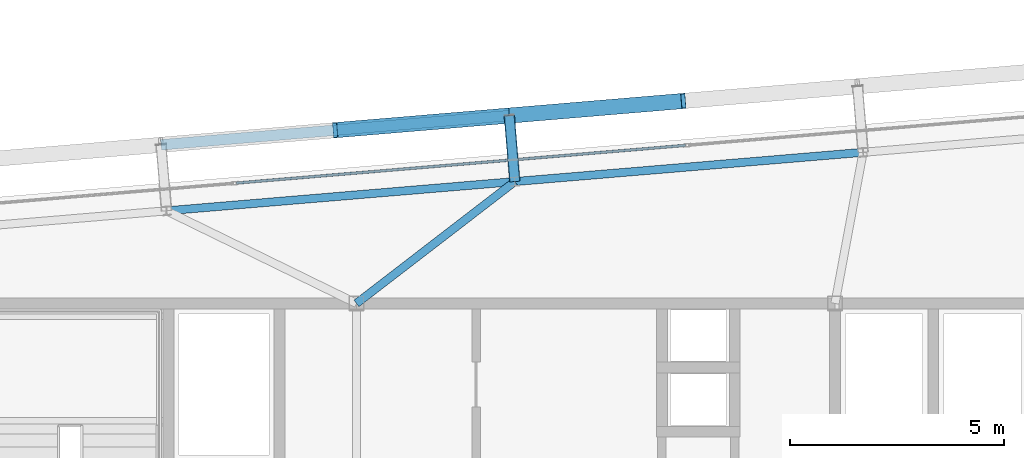
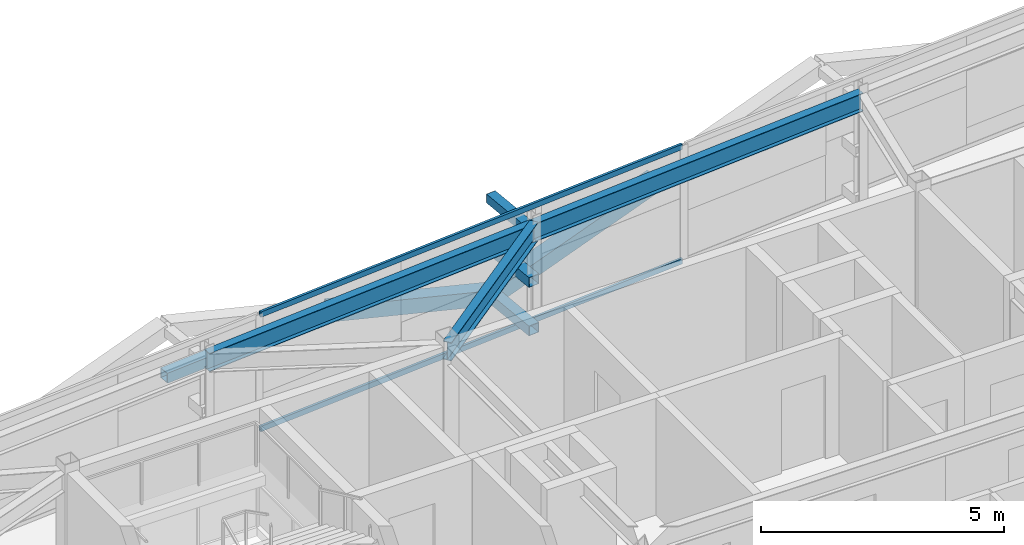
# One storey, part 22 of 39: 8 members, 3 beams, 1 element without a shape of its own.
"""IFC4 building model written with IfcOpenShell, lengths in metres."""

from ifc_helpers import new_model, si_unit, direction, frame, origin, origin_2d, place, context, subcontext, project, spatial, hollow_rectangle, i_section, extrude, source, transform, mapped, material, layer, layer_set, material_profile, profile_set, type_object, element, aggregate, save


model = new_model("IFC4")

# Units and contexts
model_context = context("Model", 3, precision=1e-05, world=origin(), true_north=direction((0.0, 1.0)))
body_context = subcontext(model_context, "Body", "Model", "MODEL_VIEW")
ifc_project = project(units=[si_unit("LENGTHUNIT", "METRE"), si_unit("AREAUNIT", "SQUARE_METRE"), si_unit("VOLUMEUNIT", "CUBIC_METRE"), si_unit("PLANEANGLEUNIT", "RADIAN"), si_unit("MASSUNIT", "GRAM", prefix="KILO")], contexts=[model_context])

# Site, building, storey
site_placement = place(None, origin())
site = spatial("IfcSite", under=ifc_project, at=site_placement, CompositionType="ELEMENT")
building_placement = place(site_placement, origin())
building = spatial("IfcBuilding", under=site, at=building_placement, Name="Taldren Reach Tower", CompositionType="ELEMENT")
storey_placement = place(building_placement, frame((0.0, 0.0, 197.75)))
storey = spatial("IfcBuildingStorey", under=building, at=storey_placement, Name="L60", CompositionType="ELEMENT", Elevation=197.75)

# Members
ifc_material_1 = material(Name="Steel Gr 350 (C350L0)", Category="steel")
ifc_material_profile_1 = material_profile(ifc_material_1, hollow_rectangle(XDim=0.25, YDim=0.25, WallThickness=0.010009765625, at=origin_2d()), Name="250x250x10.0SHS")
ifc_profile_set_1 = profile_set([ifc_material_profile_1], Name="Steel Gr 350 (C350L0)")
member_type_1 = type_object("IfcMemberType", Name="MB-POST250", PredefinedType="POST", material=ifc_profile_set_1)
shared_shape_1 = source(origin(), body_context, "Body", "SweptSolid", [
    extrude(hollow_rectangle(XDim=0.25, YDim=0.25, WallThickness=0.010009765625, at=origin_2d()), origin(), (0.0, 0.0, 1.0), 1.5498046875),
])
for number, where, z_axis, x_axis, name in (
    (1, (31.706298828125, 34.8525390625, 0.219970703125), (-0.083645141657, 0.996495604746, 0.0), (-0.996495604746, -0.083645141657, 0.0), "Exoskeleton base diaphragm tie strut B4-N3 L60"),
    (2, (31.706298828125, 34.8525390625, 1.43505859375), (-0.083645141657, 0.996495604746, 0.0), (-0.996495604746, -0.083645141657, 0.0), "Exoskeleton mid-tier diaphragm tie B4-N3 L60"),
):
    element("IfcMember", number, at=place(storey_placement, frame(where, z_axis=z_axis, x_axis=x_axis)), inside=storey, type_object=member_type_1, Name=name, PredefinedType="POST", context=body_context, shape_type="MappedRepresentation", body=[
        mapped(shared_shape_1, transform((0.0, 0.0, 0.0), scale=1.0)),
    ])

# Beams
ifc_material_2 = material(Name="Steel Gr 350 (350PLUS)", Category="steel")
ifc_material_profile_2 = material_profile(ifc_material_2, i_section(OverallWidth=0.18994140625, OverallDepth=0.4541015625, WebThickness=0.008544921875, FlangeThickness=0.0126953125, at=origin_2d()), Name="460UB67.1")
ifc_profile_set_2 = profile_set([ifc_material_profile_2], Name="Steel Gr 350 (350PLUS)")
beam_type_1 = type_object("IfcBeamType", Name="SP-UB460B", PredefinedType="SPANDREL", material=ifc_profile_set_2)
shared_shape_2 = source(origin(), body_context, "Body", "SweptSolid", [
    extrude(i_section(OverallWidth=0.18994140625, OverallDepth=0.4541015625, WebThickness=0.008544921875, FlangeThickness=0.0126953125, at=origin_2d()), origin(), (0.0, 0.0, 1.0), 8.18017578125),
])
beam_1_placement = place(storey_placement, frame((39.857666015625, 35.537109375, 2.702880859375), z_axis=(-0.996492034688, -0.083687662192, 0.0), x_axis=(0.083687662192, -0.996492034688, 0.0)))
element("IfcBeam", 3, at=beam_1_placement, inside=storey, type_object=beam_type_1, Name="Perimeter spandrel B4 N4-N3 L60", PredefinedType="SPANDREL", context=body_context, shape_type="MappedRepresentation", body=[
    mapped(shared_shape_2, transform((0.0, 0.0, 0.0), scale=1.0)),
])
shared_shape_3 = source(origin(), body_context, "Body", "SweptSolid", [
    extrude(i_section(OverallWidth=0.18994140625, OverallDepth=0.4541015625, WebThickness=0.008544921875, FlangeThickness=0.0126953125, at=origin_2d()), origin(), (0.0, 0.0, 1.0), 8.179931640625),
])
beam_2_placement = place(storey_placement, frame((31.706298828125, 34.8525390625, 2.702880859375), z_axis=(-0.99649182565, -0.08369015123, 0.0), x_axis=(0.08369015123, -0.99649182565, 0.0)))
element("IfcBeam", 4, at=beam_2_placement, inside=storey, type_object=beam_type_1, Name="Perimeter spandrel B4 N3-N2 L60", PredefinedType="SPANDREL", context=body_context, shape_type="MappedRepresentation", body=[
    mapped(shared_shape_3, transform((0.0, 0.0, 0.0), scale=1.0)),
])
ifc_material_profile_3 = material_profile(ifc_material_2, i_section(OverallWidth=0.19091796875, OverallDepth=0.4599609375, WebThickness=0.010009765625, FlangeThickness=0.01611328125, at=origin_2d()), Name="460UB82.1")
ifc_profile_set_3 = profile_set([ifc_material_profile_3], Name="Steel Gr 350 (350PLUS)")
beam_type_2 = type_object("IfcBeamType", Name="BM-UB460A", PredefinedType="BEAM", material=ifc_profile_set_3)
shared_shape_4 = source(origin(), body_context, "Body", "SweptSolid", [
    extrude(i_section(OverallWidth=0.19091796875, OverallDepth=0.4599609375, WebThickness=0.010009765625, FlangeThickness=0.01611328125, at=origin_2d()), origin(), (0.0, 0.0, 1.0), 4.677001953125),
])
beam_3_placement = place(storey_placement, frame((28.0, 32.0, 2.699951171875), z_axis=(0.792464836093, 0.609917603907, 0.0), x_axis=(-0.609917603907, 0.792464836093, 0.0)))
element("IfcBeam", 5, at=beam_3_placement, inside=storey, type_object=beam_type_2, Name="Primary floor girder B4-N3 L60", PredefinedType="BEAM", context=body_context, shape_type="MappedRepresentation", body=[
    mapped(shared_shape_4, transform((0.0, 0.0, 0.0), scale=1.0)),
])

# Members
ifc_material_3 = material(Name="Steel Gr 450 (C450L0)", Category="steel")
ifc_material_profile_4 = material_profile(ifc_material_3, hollow_rectangle(XDim=0.219970703125, YDim=0.219970703125, WallThickness=0.00830078125, at=origin_2d()), Name="220x220x8.2SHS")
ifc_profile_set_4 = profile_set([ifc_material_profile_4], Name="Steel Gr 450 (C450L0)")
member_type_2 = type_object("IfcMemberType", Name="MB-TIE219", PredefinedType="STRUT", material=ifc_profile_set_4)
shared_shape_5 = source(origin(), body_context, "Body", "SweptSolid", [
    extrude(hollow_rectangle(XDim=0.219970703125, YDim=0.219970703125, WallThickness=0.00830078125, at=origin_2d()), origin(), (0.0, 0.0, 1.0), 1.5498046875),
])
member_1_placement = place(storey_placement, frame((31.706298828125, 34.8525390625, 2.64990234375), z_axis=(-0.083645141657, 0.996495604746, 0.0), x_axis=(-0.996495604746, -0.083645141657, 0.0)))
element("IfcMember", 6, at=member_1_placement, inside=storey, type_object=member_type_2, Name="Exoskeleton diaphragm tie strut B4-N3 L60", PredefinedType="STRUT", context=body_context, shape_type="MappedRepresentation", body=[
    mapped(shared_shape_5, transform((0.0, 0.0, 0.0), scale=1.0)),
])
shared_shape_6 = source(origin(), body_context, "Body", "SweptSolid", [
    extrude(hollow_rectangle(XDim=0.25, YDim=0.25, WallThickness=0.010009765625, at=origin_2d()), origin(), (0.0, 0.0, 1.0), 8.179931640625),
])
member_2_placement = place(storey_placement, frame((23.42529296875, 35.712646484375, 1.43505859375), z_axis=(0.996494523218, 0.083658025296, 0.0), x_axis=(-0.083658025296, 0.996494523218, 0.0)))
element("IfcMember", 7, at=member_2_placement, inside=storey, type_object=member_type_1, Name="Exoskeleton mid-height ring chord B4-N2 L60", PredefinedType="POST", context=body_context, shape_type="MappedRepresentation", body=[
    mapped(shared_shape_6, transform((0.0, 0.0, 0.0), scale=1.0)),
])
ifc_material_profile_5 = material_profile(ifc_material_3, hollow_rectangle(XDim=0.360107421875, YDim=0.360107421875, WallThickness=0.0126953125, at=origin_2d()), Name="360x360x12.7SHS")
ifc_profile_set_5 = profile_set([ifc_material_profile_5], Name="Steel Gr 450 (C450L0)")
member_type_3 = type_object("IfcMemberType", Name="MB-EXO356", PredefinedType="BRACE", material=ifc_profile_set_5)
shared_shape_7 = source(origin(), body_context, "Body", "SweptSolid", [
    extrude(hollow_rectangle(XDim=0.360107421875, YDim=0.360107421875, WallThickness=0.0126953125, at=origin_2d()), origin(), (0.0, 0.0, 1.0), 4.2666015625),
])
for number, where, z_axis, x_axis, name in (
    (8, (31.57666015625, 36.39697265625, 0.219970703125), (-0.955233542365, -0.080165460216, 0.28478479336), (0.083628388178, -0.996497010879, 0.0), "Exoskeleton Diagrid Brace B4-N2 L60"),
    (9, (31.57666015625, 36.39697265625, 0.219970703125), (0.955229159097, 0.080222312271, 0.284783486572), (-0.083687662192, 0.996492034688, 0.0), "Exoskeleton Diagrid Brace B4-N3 L60"),
):
    element("IfcMember", number, at=place(storey_placement, frame(where, z_axis=z_axis, x_axis=x_axis)), inside=storey, type_object=member_type_3, Name=name, PredefinedType="BRACE", context=body_context, shape_type="MappedRepresentation", body=[
        mapped(shared_shape_7, transform((0.0, 0.0, 0.0), scale=1.0)),
    ])

# Curtain wall, members
ifc_material_4 = material(Name="Aluminium and Low-E Glass Unitised System", Category="aluminium")
ifc_layer = layer(ifc_material_4, 0.159912109375)
ifc_layer_set = layer_set([ifc_layer], Name="Aluminium and Low-E Glass Unitised System")
curtain_wall_type = type_object("IfcCurtainWallType", Name="CW-SYS-5", PredefinedType="NOTDEFINED", material=ifc_layer_set)
curtain_wall_placement = place(storey_placement, origin())
curtain_wall = element("IfcCurtainWall", 10, at=curtain_wall_placement, inside=storey, type_object=curtain_wall_type, Name="Unitised curtain wall CW-L60-N", PredefinedType="NOTDEFINED")
ifc_material_5 = material(Name="Anodised Aluminium 6063-T6", Category="aluminium")
ifc_material_profile_6 = material_profile(ifc_material_5, hollow_rectangle(XDim=0.06005859375, YDim=0.135009765625, WallThickness=0.00341796875, at=origin_2d()), Name="ALU-135x60x3.5RHS")
ifc_profile_set_6 = profile_set([ifc_material_profile_6], Name="Anodised Aluminium 6063-T6")
member_type_4 = type_object("IfcMemberType", Name="CW-TRN-150", PredefinedType="USERDEFINED", material=ifc_profile_set_6)
shared_shape_8 = source(origin(), body_context, "Body", "SweptSolid", [
    extrude(hollow_rectangle(XDim=0.06005859375, YDim=0.135009765625, WallThickness=0.00341796875, at=origin_2d()), origin(), (0.0, 0.0, 1.0), 10.55517578125),
])
member_3_placement = place(storey_placement, frame((35.70458984375, 35.699951171875, 0.030029296875), z_axis=(-0.996494202684, -0.083661843255, 0.0), x_axis=(0.083661843255, -0.996494202684, 0.0)))
member_3 = element("IfcMember", 11, at=member_3_placement, type_object=member_type_4, Name="CW-5 transom 3.1", ObjectType="TRANSOM", PredefinedType="USERDEFINED", context=body_context, shape_type="MappedRepresentation", body=[
    mapped(shared_shape_8, transform((0.0, 0.0, 0.0), scale=1.0)),
])
member_4_placement = place(storey_placement, frame((35.70458984375, 35.699951171875, 2.89990234375), z_axis=(-0.996494202684, -0.083661843255, 0.0), x_axis=(0.083661843255, -0.996494202684, 0.0)))
member_4 = element("IfcMember", 12, at=member_4_placement, type_object=member_type_4, Name="CW-5 transom 3.2", ObjectType="TRANSOM", PredefinedType="USERDEFINED", context=body_context, shape_type="MappedRepresentation", body=[
    mapped(shared_shape_8, transform((0.0, 0.0, 0.0), scale=1.0)),
])
aggregate(curtain_wall, [member_3, member_4])

save(model, "model.ifc")
